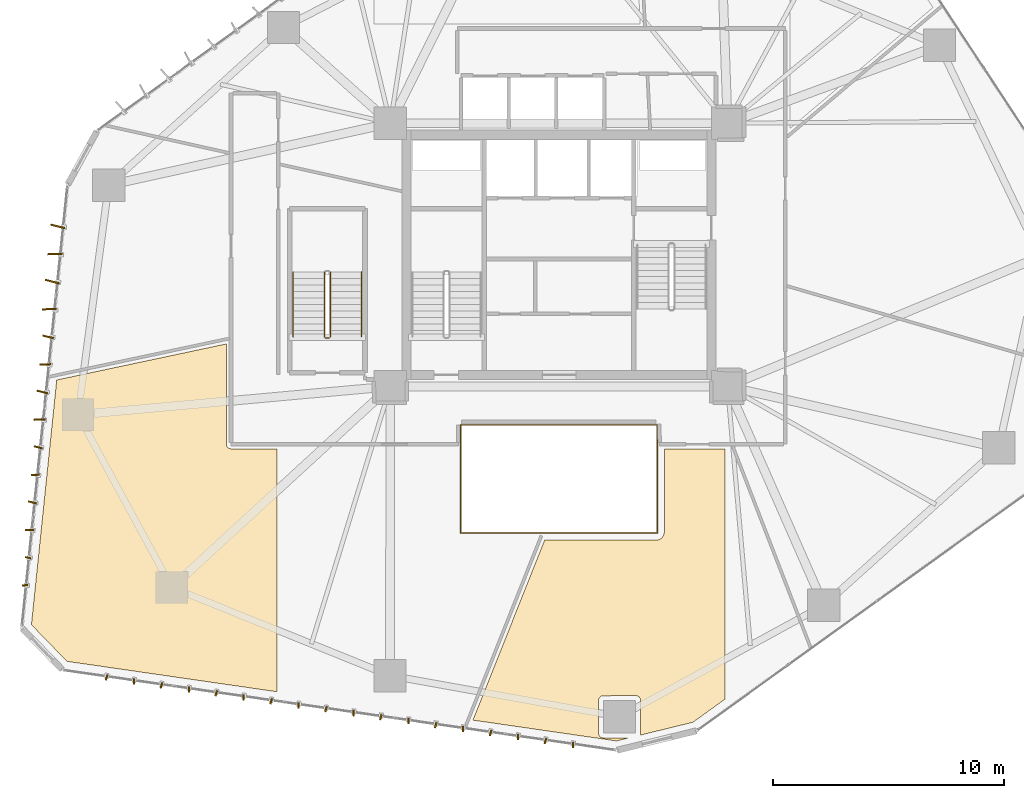
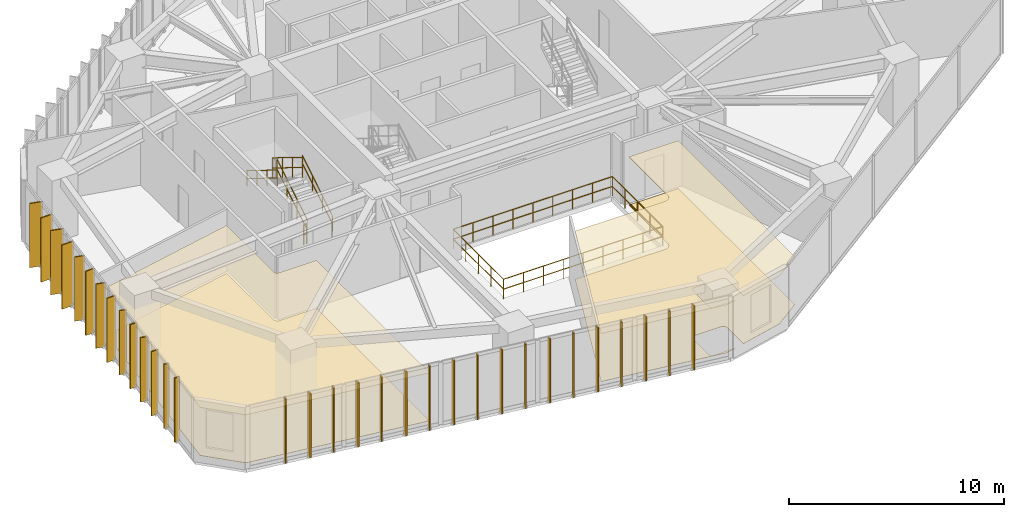
# One storey, part 21 of 22: 32 shading devices, 9 railings, 4 coverings.
"""IFC4 building model written with IfcOpenShell, lengths in metres."""

from ifc_helpers import new_model, si_unit, direction, frame, origin, origin_2d, place, context, subcontext, project, spatial, polyline, rectangle, circle, outline, extrude, source, transform, mapped, material, layer, layer_set, type_object, type_shapes, element, save


model = new_model("IFC4")

# Units and contexts
model_context = context("Model", 3, precision=1e-05, world=origin(), true_north=direction((0.0, 1.0)))
body_context = subcontext(model_context, "Body", "Model", "MODEL_VIEW")
ifc_project = project(units=[si_unit("LENGTHUNIT", "METRE"), si_unit("AREAUNIT", "SQUARE_METRE"), si_unit("VOLUMEUNIT", "CUBIC_METRE"), si_unit("PLANEANGLEUNIT", "RADIAN"), si_unit("MASSUNIT", "GRAM", prefix="KILO")], contexts=[model_context])

# Site, building, storey
site_placement = place(None, origin())
site = spatial("IfcSite", under=ifc_project, at=site_placement, CompositionType="ELEMENT")
building_placement = place(site_placement, origin())
building = spatial("IfcBuilding", under=site, at=building_placement, Name="Talar Marvaseh", CompositionType="ELEMENT")
storey_placement = place(building_placement, frame((0.0, 0.0, 65.800048828125)))
storey = spatial("IfcBuildingStorey", under=building, at=storey_placement, Name="L16", CompositionType="ELEMENT", Elevation=65.800048828125)

# Railings
ifc_material_1 = material(Name="Stainless Steel Grade 316", Category="steel")
railing_type_1 = type_object("IfcRailingType", Name="Brushed Stainless Wall Pitch Handrail 900", PredefinedType="HANDRAIL", material=ifc_material_1)
railing_1_placement = place(storey_placement, frame((17.449951171875, 27.64990234375, 0.172607421875)))
element("IfcRailing", 1, at=railing_1_placement, inside=storey, type_object=railing_type_1, Name="L16 ST-3 stair handrail 1", PredefinedType="HANDRAIL", context=body_context, shape_type="SweptSolid", body=[
    extrude(circle(Radius=0.02392578125, at=origin_2d()), frame((0.0, 0.0, 0.8759765625), z_axis=(0.0, 0.851089632645, 0.525020415988), x_axis=(-1.0, 0.0, 0.0)), (0.0, 0.0, 1.0), 3.2900390625),
    extrude(circle(Radius=0.02392578125, at=origin_2d()), frame((0.0, 0.0, 0.42578125), z_axis=(0.0, 0.851089632645, 0.525020415988), x_axis=(-1.0, 0.0, 0.0)), (0.0, 0.0, 1.0), 3.2900390625),
    extrude(circle(Radius=0.02099609375, at=origin_2d()), origin(), (0.0, 0.0, 1.0), 0.851806640625),
    extrude(circle(Radius=0.02099609375, at=origin_2d()), frame((0.0, 0.933349609375, 0.57568359375)), (0.0, 0.0, 1.0), 0.851806640625),
    extrude(circle(Radius=0.02099609375, at=origin_2d()), frame((0.0, 1.86669921875, 1.151611328125)), (0.0, 0.0, 1.0), 0.851806640625),
    extrude(circle(Radius=0.02099609375, at=origin_2d()), frame((0.0, 2.800048828125, 1.727294921875)), (0.0, 0.0, 1.0), 0.851806640625),
])
railing_2_placement = place(storey_placement, frame((14.489990234375, 30.449951171875, 2.07275390625)))
element("IfcRailing", 2, at=railing_2_placement, inside=storey, type_object=railing_type_1, Name="L16 ST-3 stair handrail 2", PredefinedType="HANDRAIL", context=body_context, shape_type="SweptSolid", body=[
    extrude(circle(Radius=0.02392578125, at=origin_2d()), frame((0.0, 0.0, 0.8759765625), z_axis=(0.0, -0.851089632645, 0.525020415988), x_axis=(1.0, 0.0, 0.0)), (0.0, 0.0, 1.0), 3.2900390625),
    extrude(circle(Radius=0.02392578125, at=origin_2d()), frame((0.0, 0.0, 0.42578125), z_axis=(0.0, -0.851089632645, 0.525020415988), x_axis=(1.0, 0.0, 0.0)), (0.0, 0.0, 1.0), 3.2900390625),
    extrude(circle(Radius=0.02099609375, at=origin_2d()), origin(), (0.0, 0.0, 1.0), 0.851806640625),
    extrude(circle(Radius=0.02099609375, at=origin_2d()), frame((0.0, -0.933349609375, 0.57568359375)), (0.0, 0.0, 1.0), 0.851806640625),
    extrude(circle(Radius=0.02099609375, at=origin_2d()), frame((0.0, -1.86669921875, 1.151611328125)), (0.0, 0.0, 1.0), 0.851806640625),
    extrude(circle(Radius=0.02099609375, at=origin_2d()), frame((0.0, -2.800048828125, 1.727294921875)), (0.0, 0.0, 1.0), 0.851806640625),
])
ifc_material_2 = material(Name="Tempered Clear Glass", Category="glass")
railing_type_2 = type_object("IfcRailingType", Name="Interior Atrium Edge Balustrade 1120", PredefinedType="BALUSTRADE", material=ifc_material_2)
railing_3_placement = place(storey_placement, frame((21.729736328125, 19.16162109375, 0.0)))
element("IfcRailing", 3, at=railing_3_placement, inside=storey, type_object=railing_type_2, Name="L16 Internal Daylight Atrium Balustrade 1", PredefinedType="BALUSTRADE", context=body_context, shape_type="SweptSolid", body=[
    extrude(circle(Radius=0.02392578125, at=origin_2d()), frame((0.0, 0.0, 1.09619140625), z_axis=(1.0, 0.0, 0.0), x_axis=(0.0, 1.0, 0.0)), (0.0, 0.0, 1.0), 8.54052734375),
    extrude(circle(Radius=0.02392578125, at=origin_2d()), frame((0.0, 0.0, 0.5361328125), z_axis=(1.0, 0.0, 0.0), x_axis=(0.0, 1.0, 0.0)), (0.0, 0.0, 1.0), 8.54052734375),
    extrude(circle(Radius=0.02099609375, at=origin_2d()), origin(), (0.0, 0.0, 1.0), 1.072021484375),
    extrude(circle(Radius=0.02099609375, at=origin_2d()), frame((1.067626953125, 0.0, 0.0)), (0.0, 0.0, 1.0), 1.072021484375),
    extrude(circle(Radius=0.02099609375, at=origin_2d()), frame((2.13525390625, 0.0, 0.0)), (0.0, 0.0, 1.0), 1.072021484375),
    extrude(circle(Radius=0.02099609375, at=origin_2d()), frame((3.20263671875, 0.0, 0.0)), (0.0, 0.0, 1.0), 1.072021484375),
    extrude(circle(Radius=0.02099609375, at=origin_2d()), frame((4.270263671875, 0.0, 0.0)), (0.0, 0.0, 1.0), 1.072021484375),
    extrude(circle(Radius=0.02099609375, at=origin_2d()), frame((5.337890625, 0.0, 0.0)), (0.0, 0.0, 1.0), 1.072021484375),
    extrude(circle(Radius=0.02099609375, at=origin_2d()), frame((6.4052734375, 0.0, 0.0)), (0.0, 0.0, 1.0), 1.072021484375),
    extrude(circle(Radius=0.02099609375, at=origin_2d()), frame((7.472900390625, 0.0, 0.0)), (0.0, 0.0, 1.0), 1.072021484375),
    extrude(circle(Radius=0.02099609375, at=origin_2d()), frame((8.54052734375, 0.0, 0.0)), (0.0, 0.0, 1.0), 1.072021484375),
])
railing_4_placement = place(storey_placement, frame((30.270263671875, 19.16162109375, 0.0)))
element("IfcRailing", 4, at=railing_4_placement, inside=storey, type_object=railing_type_2, Name="L16 Internal Daylight Atrium Balustrade 2", PredefinedType="BALUSTRADE", context=body_context, shape_type="SweptSolid", body=[
    extrude(circle(Radius=0.02392578125, at=origin_2d()), frame((0.0, 0.0, 1.09619140625), z_axis=(0.0, 1.0, 0.0), x_axis=(-1.0, 0.0, 0.0)), (0.0, 0.0, 1.0), 4.6767578125),
    extrude(circle(Radius=0.02392578125, at=origin_2d()), frame((0.0, 0.0, 0.5361328125), z_axis=(0.0, 1.0, 0.0), x_axis=(-1.0, 0.0, 0.0)), (0.0, 0.0, 1.0), 4.6767578125),
    extrude(circle(Radius=0.02099609375, at=origin_2d()), origin(), (0.0, 0.0, 1.0), 1.072021484375),
    extrude(circle(Radius=0.02099609375, at=origin_2d()), frame((0.0, 1.169189453125, 0.0)), (0.0, 0.0, 1.0), 1.072021484375),
    extrude(circle(Radius=0.02099609375, at=origin_2d()), frame((0.0, 2.33837890625, 0.0)), (0.0, 0.0, 1.0), 1.072021484375),
    extrude(circle(Radius=0.02099609375, at=origin_2d()), frame((0.0, 3.507568359375, 0.0)), (0.0, 0.0, 1.0), 1.072021484375),
    extrude(circle(Radius=0.02099609375, at=origin_2d()), frame((0.0, 4.6767578125, 0.0)), (0.0, 0.0, 1.0), 1.072021484375),
])
railing_5_placement = place(storey_placement, frame((30.270263671875, 23.83837890625, 0.0)))
element("IfcRailing", 5, at=railing_5_placement, inside=storey, type_object=railing_type_2, Name="L16 Internal Daylight Atrium Balustrade 3", PredefinedType="BALUSTRADE", context=body_context, shape_type="SweptSolid", body=[
    extrude(circle(Radius=0.02392578125, at=origin_2d()), frame((0.0, 0.0, 1.09619140625), z_axis=(-1.0, 0.0, 0.0), x_axis=(0.0, -1.0, 0.0)), (0.0, 0.0, 1.0), 8.54052734375),
    extrude(circle(Radius=0.02392578125, at=origin_2d()), frame((0.0, 0.0, 0.5361328125), z_axis=(-1.0, 0.0, 0.0), x_axis=(0.0, -1.0, 0.0)), (0.0, 0.0, 1.0), 8.54052734375),
    extrude(circle(Radius=0.02099609375, at=origin_2d()), origin(), (0.0, 0.0, 1.0), 1.072021484375),
    extrude(circle(Radius=0.02099609375, at=origin_2d()), frame((-1.067626953125, 0.0, 0.0)), (0.0, 0.0, 1.0), 1.072021484375),
    extrude(circle(Radius=0.02099609375, at=origin_2d()), frame((-2.13525390625, 0.0, 0.0)), (0.0, 0.0, 1.0), 1.072021484375),
    extrude(circle(Radius=0.02099609375, at=origin_2d()), frame((-3.20263671875, 0.0, 0.0)), (0.0, 0.0, 1.0), 1.072021484375),
    extrude(circle(Radius=0.02099609375, at=origin_2d()), frame((-4.270263671875, 0.0, 0.0)), (0.0, 0.0, 1.0), 1.072021484375),
    extrude(circle(Radius=0.02099609375, at=origin_2d()), frame((-5.337890625, 0.0, 0.0)), (0.0, 0.0, 1.0), 1.072021484375),
    extrude(circle(Radius=0.02099609375, at=origin_2d()), frame((-6.4052734375, 0.0, 0.0)), (0.0, 0.0, 1.0), 1.072021484375),
    extrude(circle(Radius=0.02099609375, at=origin_2d()), frame((-7.472900390625, 0.0, 0.0)), (0.0, 0.0, 1.0), 1.072021484375),
    extrude(circle(Radius=0.02099609375, at=origin_2d()), frame((-8.54052734375, 0.0, 0.0)), (0.0, 0.0, 1.0), 1.072021484375),
])
railing_6_placement = place(storey_placement, frame((21.729736328125, 23.83837890625, 0.0)))
element("IfcRailing", 6, at=railing_6_placement, inside=storey, type_object=railing_type_2, Name="L16 Internal Daylight Atrium Balustrade 4", PredefinedType="BALUSTRADE", context=body_context, shape_type="SweptSolid", body=[
    extrude(circle(Radius=0.02392578125, at=origin_2d()), frame((0.0, 0.0, 1.09619140625), z_axis=(0.0, -1.0, 0.0), x_axis=(1.0, 0.0, 0.0)), (0.0, 0.0, 1.0), 4.6767578125),
    extrude(circle(Radius=0.02392578125, at=origin_2d()), frame((0.0, 0.0, 0.5361328125), z_axis=(0.0, -1.0, 0.0), x_axis=(1.0, 0.0, 0.0)), (0.0, 0.0, 1.0), 4.6767578125),
    extrude(circle(Radius=0.02099609375, at=origin_2d()), origin(), (0.0, 0.0, 1.0), 1.072021484375),
    extrude(circle(Radius=0.02099609375, at=origin_2d()), frame((0.0, -1.169189453125, 0.0)), (0.0, 0.0, 1.0), 1.072021484375),
    extrude(circle(Radius=0.02099609375, at=origin_2d()), frame((0.0, -2.33837890625, 0.0)), (0.0, 0.0, 1.0), 1.072021484375),
    extrude(circle(Radius=0.02099609375, at=origin_2d()), frame((0.0, -3.507568359375, 0.0)), (0.0, 0.0, 1.0), 1.072021484375),
    extrude(circle(Radius=0.02099609375, at=origin_2d()), frame((0.0, -4.6767578125, 0.0)), (0.0, 0.0, 1.0), 1.072021484375),
])
railing_type_3 = type_object("IfcRailingType", Name="Painted Steel Core Stair Well Guardrail 1150", PredefinedType="GUARDRAIL", material=ifc_material_1)
railing_7_placement = place(storey_placement, frame((16.10009765625, 27.64990234375, 0.172607421875)))
element("IfcRailing", 7, at=railing_7_placement, inside=storey, type_object=railing_type_3, Name="L16 ST-3 stair guard 1", PredefinedType="GUARDRAIL", context=body_context, shape_type="SweptSolid", body=[
    extrude(circle(Radius=0.02392578125, at=origin_2d()), frame((0.0, 0.0, 1.1259765625), z_axis=(0.0, 0.851089632645, 0.525020415988), x_axis=(-1.0, 0.0, 0.0)), (0.0, 0.0, 1.0), 3.2900390625),
    extrude(circle(Radius=0.02392578125, at=origin_2d()), frame((0.0, 0.0, 0.55078125), z_axis=(0.0, 0.851089632645, 0.525020415988), x_axis=(-1.0, 0.0, 0.0)), (0.0, 0.0, 1.0), 3.2900390625),
    extrude(circle(Radius=0.02099609375, at=origin_2d()), origin(), (0.0, 0.0, 1.0), 1.101806640625),
    extrude(circle(Radius=0.02099609375, at=origin_2d()), frame((0.0, 0.933349609375, 0.57568359375)), (0.0, 0.0, 1.0), 1.101806640625),
    extrude(circle(Radius=0.02099609375, at=origin_2d()), frame((0.0, 1.86669921875, 1.151611328125)), (0.0, 0.0, 1.0), 1.101806640625),
    extrude(circle(Radius=0.02099609375, at=origin_2d()), frame((0.0, 2.800048828125, 1.727294921875)), (0.0, 0.0, 1.0), 1.101806640625),
])
railing_8_placement = place(storey_placement, frame((15.840087890625, 30.449951171875, 2.07275390625)))
element("IfcRailing", 8, at=railing_8_placement, inside=storey, type_object=railing_type_3, Name="L16 ST-3 stair guard 3", PredefinedType="GUARDRAIL", context=body_context, shape_type="SweptSolid", body=[
    extrude(circle(Radius=0.02392578125, at=origin_2d()), frame((0.0, 0.0, 1.1259765625), z_axis=(0.0, -0.851089632645, 0.525020415988), x_axis=(1.0, 0.0, 0.0)), (0.0, 0.0, 1.0), 3.2900390625),
    extrude(circle(Radius=0.02392578125, at=origin_2d()), frame((0.0, 0.0, 0.55078125), z_axis=(0.0, -0.851089632645, 0.525020415988), x_axis=(1.0, 0.0, 0.0)), (0.0, 0.0, 1.0), 3.2900390625),
    extrude(circle(Radius=0.02099609375, at=origin_2d()), origin(), (0.0, 0.0, 1.0), 1.101806640625),
    extrude(circle(Radius=0.02099609375, at=origin_2d()), frame((0.0, -0.933349609375, 0.57568359375)), (0.0, 0.0, 1.0), 1.101806640625),
    extrude(circle(Radius=0.02099609375, at=origin_2d()), frame((0.0, -1.86669921875, 1.151611328125)), (0.0, 0.0, 1.0), 1.101806640625),
    extrude(circle(Radius=0.02099609375, at=origin_2d()), frame((0.0, -2.800048828125, 1.727294921875)), (0.0, 0.0, 1.0), 1.101806640625),
])
railing_9_placement = place(storey_placement, frame((16.050048828125, 27.60009765625, 0.0)))
element("IfcRailing", 9, at=railing_9_placement, inside=storey, type_object=railing_type_3, Name="L16 ST-3 stair guard 4", PredefinedType="GUARDRAIL", context=body_context, shape_type="SweptSolid", body=[
    extrude(circle(Radius=0.02392578125, at=origin_2d()), frame((0.0, 0.0, 1.1259765625), z_axis=(-1.0, 0.0, 0.0), x_axis=(0.0, -1.0, 0.0)), (0.0, 0.0, 1.0), 0.16015625),
    extrude(circle(Radius=0.02392578125, at=origin_2d()), frame((0.0, 0.0, 0.55078125), z_axis=(-1.0, 0.0, 0.0), x_axis=(0.0, -1.0, 0.0)), (0.0, 0.0, 1.0), 0.16015625),
    extrude(circle(Radius=0.02099609375, at=origin_2d()), origin(), (0.0, 0.0, 1.0), 1.101806640625),
    extrude(circle(Radius=0.02099609375, at=origin_2d()), frame((-0.16015625, 0.0, 0.0)), (0.0, 0.0, 1.0), 1.101806640625),
])

# Coverings
ifc_material_3 = material(Name="Mineral Fibre Acoustic Ceiling")
ifc_layer_1 = layer(ifc_material_3, 0.02490234375)
ifc_layer_set_1 = layer_set([ifc_layer_1], Name="Mineral Fibre Acoustic Ceiling")
covering_type_1 = type_object("IfcCoveringType", Name="Perforated Mineral Fibre Acoustic Suspended Ceiling", PredefinedType="CEILING", material=ifc_layer_set_1)
covering_1_placement = place(storey_placement, frame((0.0, 0.0, 2.719970703125)))
element("IfcCovering", 10, at=covering_1_placement, inside=storey, type_object=covering_type_1, Name="L16 Exhibition Gallery Acoustic Ceiling", PredefinedType="CEILING", context=body_context, shape_type="SweptSolid", body=[
    extrude(outline(polyline([(3.156982421875, 15.180908203125), (4.253173828125, 25.7802734375), (11.60009765625, 27.342041015625), (11.60009765625, 23.0), (11.60107421875, 22.98046875), (11.603759765625, 22.9609375), (11.608642578125, 22.94189453125), (11.615234375, 22.923583984375), (11.62353515625, 22.90576171875), (11.6337890625, 22.888916015625), (11.6455078125, 22.873046875), (11.65869140625, 22.858642578125), (11.673095703125, 22.845458984375), (11.68896484375, 22.833740234375), (11.705810546875, 22.823486328125), (11.723388671875, 22.815185546875), (11.741943359375, 22.80859375), (11.760986328125, 22.8037109375), (11.780517578125, 22.801025390625), (11.800048828125, 22.800048828125), (13.800048828125, 22.800048828125), (13.800048828125, 12.277587890625), (4.69677734375, 13.595947265625), (3.156982421875, 15.180908203125)])), origin(), (0.0, 0.0, 1.0), 0.02490234375),
])
covering_2_placement = place(storey_placement, frame((0.0, 0.0, 2.719970703125)))
element("IfcCovering", 11, at=covering_2_placement, inside=storey, type_object=covering_type_1, Name="L16 Museum Publication Bookshop Acoustic Ceiling", PredefinedType="CEILING", context=body_context, shape_type="SweptSolid", body=[
    extrude(outline(polyline([(25.377685546875, 18.840087890625), (30.199951171875, 18.840087890625), (30.21630859375, 18.8408203125), (30.232666015625, 18.8427734375), (30.24853515625, 18.845947265625), (30.323974609375, 18.864990234375), (30.3427734375, 18.87060546875), (30.361083984375, 18.878173828125), (30.37841796875, 18.887451171875), (30.39453125, 18.898193359375), (30.432373046875, 18.92626953125), (30.447509765625, 18.938720703125), (30.461181640625, 18.95263671875), (30.4736328125, 18.9677734375), (30.501708984375, 19.00537109375), (30.5126953125, 19.021728515625), (30.52197265625, 19.0390625), (30.529296875, 19.05712890625), (30.53515625, 19.075927734375), (30.553955078125, 19.1513671875), (30.557373046875, 19.16748046875), (30.559326171875, 19.18359375), (30.56005859375, 19.199951171875), (30.56005859375, 22.800048828125), (33.199951171875, 22.800048828125), (33.199951171875, 11.966064453125), (31.7998046875, 10.95849609375), (29.5166015625, 10.39990234375), (29.520263671875, 10.407470703125), (29.52685546875, 10.42578125), (29.53173828125, 10.44482421875), (29.53466796875, 10.464111328125), (29.53564453125, 10.48388671875), (29.539794921875, 11.89599609375), (29.5390625, 11.91455078125), (29.53662109375, 11.932861328125), (29.5322265625, 11.950927734375), (29.5263671875, 11.96875), (29.518798828125, 11.985595703125), (29.509765625, 12.001953125), (29.499267578125, 12.017333984375), (29.4873046875, 12.031494140625), (29.47412109375, 12.044677734375), (29.459228515625, 12.05810546875), (29.445068359375, 12.070068359375), (29.4296875, 12.080322265625), (29.41357421875, 12.08935546875), (29.396728515625, 12.0966796875), (29.379150390625, 12.1025390625), (29.361083984375, 12.106689453125), (29.3427734375, 12.109130859375), (29.324462890625, 12.110107421875), (27.913818359375, 12.105712890625), (27.894287109375, 12.1044921875), (27.874755859375, 12.1015625), (27.85595703125, 12.0966796875), (27.83740234375, 12.090087890625), (27.819580078125, 12.081787109375), (27.802978515625, 12.07177734375), (27.787353515625, 12.06005859375), (27.772705078125, 12.046875), (27.759521484375, 12.0322265625), (27.748046875, 12.0166015625), (27.73779296875, 11.999755859375), (27.7294921875, 11.98193359375), (27.722900390625, 11.96337890625), (27.71826171875, 11.944580078125), (27.71533203125, 11.92529296875), (27.71435546875, 11.905517578125), (27.71435546875, 10.484375), (27.71533203125, 10.46484375), (27.71826171875, 10.4453125), (27.722900390625, 10.42626953125), (27.7294921875, 10.407958984375), (27.738037109375, 10.39013671875), (27.748046875, 10.373291015625), (27.759765625, 10.357421875), (27.77294921875, 10.343017578125), (27.78759765625, 10.329833984375), (27.80322265625, 10.318115234375), (27.820068359375, 10.30810546875), (27.837890625, 10.299560546875), (27.856201171875, 10.29296875), (27.87548828125, 10.2880859375), (27.894775390625, 10.285400390625), (27.914306640625, 10.284423828125), (29.044921875, 10.284423828125), (28.493408203125, 10.1494140625), (22.277587890625, 11.0498046875), (25.377685546875, 18.840087890625)])), origin(), (0.0, 0.0, 1.0), 0.02490234375),
])
ifc_material_4 = material(Name="Porcelain Stoneware Tile", Category="masonry")
ifc_layer_2 = layer(ifc_material_4, 0.02001953125)
ifc_layer_set_2 = layer_set([ifc_layer_2], Name="Porcelain Stoneware Tile")
covering_type_2 = type_object("IfcCoveringType", Name="Polished Porcelain Stoneware Gallery Flooring", PredefinedType="FLOORING", material=ifc_layer_set_2)
covering_3_placement = place(storey_placement, origin())
element("IfcCovering", 12, at=covering_3_placement, inside=storey, type_object=covering_type_2, Name="L16 Exhibition Gallery Flooring", PredefinedType="FLOORING", context=body_context, shape_type="SweptSolid", body=[
    extrude(outline(polyline([(3.156982421875, 15.180908203125), (4.253173828125, 25.7802734375), (11.60009765625, 27.342041015625), (11.60009765625, 23.0), (11.60107421875, 22.98046875), (11.603759765625, 22.9609375), (11.608642578125, 22.94189453125), (11.615234375, 22.923583984375), (11.62353515625, 22.90576171875), (11.6337890625, 22.888916015625), (11.6455078125, 22.873046875), (11.65869140625, 22.858642578125), (11.673095703125, 22.845458984375), (11.68896484375, 22.833740234375), (11.705810546875, 22.823486328125), (11.723388671875, 22.815185546875), (11.741943359375, 22.80859375), (11.760986328125, 22.8037109375), (11.780517578125, 22.801025390625), (11.800048828125, 22.800048828125), (13.800048828125, 22.800048828125), (13.800048828125, 12.277587890625), (4.69677734375, 13.595947265625), (3.156982421875, 15.180908203125)])), origin(), (0.0, 0.0, 1.0), 0.02001953125),
])
covering_4_placement = place(storey_placement, origin())
element("IfcCovering", 13, at=covering_4_placement, inside=storey, type_object=covering_type_2, Name="L16 Museum Publication Bookshop Flooring", PredefinedType="FLOORING", context=body_context, shape_type="SweptSolid", body=[
    extrude(outline(polyline([(25.377685546875, 18.840087890625), (30.199951171875, 18.840087890625), (30.21630859375, 18.8408203125), (30.232666015625, 18.8427734375), (30.24853515625, 18.845947265625), (30.323974609375, 18.864990234375), (30.3427734375, 18.87060546875), (30.361083984375, 18.878173828125), (30.37841796875, 18.887451171875), (30.39453125, 18.898193359375), (30.432373046875, 18.92626953125), (30.447509765625, 18.938720703125), (30.461181640625, 18.95263671875), (30.4736328125, 18.9677734375), (30.501708984375, 19.00537109375), (30.5126953125, 19.021728515625), (30.52197265625, 19.0390625), (30.529296875, 19.05712890625), (30.53515625, 19.075927734375), (30.553955078125, 19.1513671875), (30.557373046875, 19.16748046875), (30.559326171875, 19.18359375), (30.56005859375, 19.199951171875), (30.56005859375, 22.800048828125), (33.199951171875, 22.800048828125), (33.199951171875, 11.966064453125), (31.7998046875, 10.95849609375), (29.5166015625, 10.39990234375), (29.520263671875, 10.407470703125), (29.52685546875, 10.42578125), (29.53173828125, 10.44482421875), (29.53466796875, 10.464111328125), (29.53564453125, 10.48388671875), (29.539794921875, 11.89599609375), (29.5390625, 11.91455078125), (29.53662109375, 11.932861328125), (29.5322265625, 11.950927734375), (29.5263671875, 11.96875), (29.518798828125, 11.985595703125), (29.509765625, 12.001953125), (29.499267578125, 12.017333984375), (29.4873046875, 12.031494140625), (29.47412109375, 12.044677734375), (29.459228515625, 12.05810546875), (29.445068359375, 12.070068359375), (29.4296875, 12.080322265625), (29.41357421875, 12.08935546875), (29.396728515625, 12.0966796875), (29.379150390625, 12.1025390625), (29.361083984375, 12.106689453125), (29.3427734375, 12.109130859375), (29.324462890625, 12.110107421875), (27.913818359375, 12.105712890625), (27.894287109375, 12.1044921875), (27.874755859375, 12.1015625), (27.85595703125, 12.0966796875), (27.83740234375, 12.090087890625), (27.819580078125, 12.081787109375), (27.802978515625, 12.07177734375), (27.787353515625, 12.06005859375), (27.772705078125, 12.046875), (27.759521484375, 12.0322265625), (27.748046875, 12.0166015625), (27.73779296875, 11.999755859375), (27.7294921875, 11.98193359375), (27.722900390625, 11.96337890625), (27.71826171875, 11.944580078125), (27.71533203125, 11.92529296875), (27.71435546875, 11.905517578125), (27.71435546875, 10.484375), (27.71533203125, 10.46484375), (27.71826171875, 10.4453125), (27.722900390625, 10.42626953125), (27.7294921875, 10.407958984375), (27.738037109375, 10.39013671875), (27.748046875, 10.373291015625), (27.759765625, 10.357421875), (27.77294921875, 10.343017578125), (27.78759765625, 10.329833984375), (27.80322265625, 10.318115234375), (27.820068359375, 10.30810546875), (27.837890625, 10.299560546875), (27.856201171875, 10.29296875), (27.87548828125, 10.2880859375), (27.894775390625, 10.285400390625), (27.914306640625, 10.284423828125), (29.044921875, 10.284423828125), (28.493408203125, 10.1494140625), (22.277587890625, 11.0498046875), (25.377685546875, 18.840087890625)])), origin(), (0.0, 0.0, 1.0), 0.02001953125),
])

# Shading devices
ifc_material_5 = material(Name="Anodised Champagne Bronze Aluminium", Category="aluminium")
ifc_layer_3 = layer(ifc_material_5, 0.06494140625)
ifc_layer_set_3 = layer_set([ifc_layer_3], Name="Anodised Champagne Bronze Aluminium")
shading_device_type_1 = type_object("IfcShadingDeviceType", Name="Sawtooth Champagne Bronze Vertical Fin 240", PredefinedType="USERDEFINED", material=ifc_layer_set_3)
shared_shape_1 = source(origin(), body_context, "Body", "SweptSolid", [
    extrude(rectangle(XDim=0.239990234375, YDim=0.06494140625, at=origin_2d()), origin(), (0.0, 0.0, 1.0), 3.639892578125),
])
type_shapes(shading_device_type_1, [shared_shape_1])
for number, where, z_axis, x_axis, name in (
    (14, (2.88671875, 16.89208984375, -0.1201171875), (0.0, 0.0, 1.0), (-0.999328393779, -0.036643708707, 0.0), "L16 Sawtooth Vertical Solar Fin"),
    (15, (3.010009765625, 18.085693359375, -0.1201171875), (0.0, 0.0, 1.0), (-0.970716481578, 0.240228042477, 0.0), "L16 Sawtooth Vertical Solar Fin"),
    (16, (26.6015625, 9.973876953125, -0.1201171875), (0.0, 0.0, 1.0), (-0.004188777955, -0.999991227031, 0.0), "L16 Sawtooth Vertical Solar Fin"),
    (17, (25.413818359375, 10.145751953125, -0.1201171875), (0.0, 0.0, 1.0), (-0.27966144946, -0.96009867914, 0.0), "L16 Sawtooth Vertical Solar Fin"),
    (18, (24.226318359375, 10.31787109375, -0.1201171875), (0.0, 0.0, 1.0), (-0.004188777955, -0.999991227031, 0.0), "L16 Sawtooth Vertical Solar Fin"),
    (19, (23.03857421875, 10.489990234375, -0.1201171875), (0.0, 0.0, 1.0), (-0.27966144946, -0.96009867914, 0.0), "L16 Sawtooth Vertical Solar Fin"),
    (20, (21.85107421875, 10.661865234375, -0.1201171875), (0.0, 0.0, 1.0), (-0.004188777955, -0.999991227031, 0.0), "L16 Sawtooth Vertical Solar Fin"),
    (21, (20.663330078125, 10.833984375, -0.1201171875), (0.0, 0.0, 1.0), (-0.27966144946, -0.96009867914, 0.0), "L16 Sawtooth Vertical Solar Fin"),
    (22, (19.475830078125, 11.005859375, -0.1201171875), (0.0, 0.0, 1.0), (-0.004188777955, -0.999991227031, 0.0), "L16 Sawtooth Vertical Solar Fin"),
    (23, (18.2880859375, 11.177978515625, -0.1201171875), (0.0, 0.0, 1.0), (-0.27966144946, -0.96009867914, 0.0), "L16 Sawtooth Vertical Solar Fin"),
    (24, (17.1005859375, 11.349853515625, -0.1201171875), (0.0, 0.0, 1.0), (-0.004188777955, -0.999991227031, 0.0), "L16 Sawtooth Vertical Solar Fin"),
    (25, (15.9130859375, 11.52197265625, -0.1201171875), (0.0, 0.0, 1.0), (-0.27966144946, -0.96009867914, 0.0), "L16 Sawtooth Vertical Solar Fin"),
    (26, (14.725341796875, 11.69384765625, -0.1201171875), (0.0, 0.0, 1.0), (-0.004188777955, -0.999991227031, 0.0), "L16 Sawtooth Vertical Solar Fin"),
    (27, (13.537841796875, 11.865966796875, -0.1201171875), (0.0, 0.0, 1.0), (-0.27966144946, -0.96009867914, 0.0), "L16 Sawtooth Vertical Solar Fin"),
    (28, (12.35009765625, 12.037841796875, -0.1201171875), (0.0, 0.0, 1.0), (-0.004188777955, -0.999991227031, 0.0), "L16 Sawtooth Vertical Solar Fin"),
    (29, (11.16259765625, 12.2099609375, -0.1201171875), (0.0, 0.0, 1.0), (-0.27966144946, -0.96009867914, 0.0), "L16 Sawtooth Vertical Solar Fin"),
    (30, (9.97509765625, 12.3818359375, -0.1201171875), (0.0, 0.0, 1.0), (-0.004188777955, -0.999991227031, 0.0), "L16 Sawtooth Vertical Solar Fin"),
    (31, (8.787353515625, 12.553955078125, -0.1201171875), (0.0, 0.0, 1.0), (-0.27966144946, -0.96009867914, 0.0), "L16 Sawtooth Vertical Solar Fin"),
    (32, (7.599609375, 12.725830078125, -0.1201171875), (0.0, 0.0, 1.0), (-0.004188777955, -0.999991227031, 0.0), "L16 Sawtooth Vertical Solar Fin"),
    (33, (6.412109375, 12.89794921875, -0.1201171875), (0.0, 0.0, 1.0), (-0.27966144946, -0.96009867914, 0.0), "L16 Sawtooth Vertical Solar Fin"),
):
    element("IfcShadingDevice", number, at=place(storey_placement, frame(where, z_axis=z_axis, x_axis=x_axis)), inside=storey, type_object=shading_device_type_1, Name=name, ObjectType="FIN", PredefinedType="USERDEFINED", context=body_context, shape_type="MappedRepresentation", body=[
        mapped(shared_shape_1, transform((0.0, 0.0, 0.0), x_axis=(1.0, 0.0, 0.0), y_axis=(0.0, 1.0, 0.0), z_axis=(0.0, 0.0, 1.0), scale=1.0)),
    ])
ifc_layer_4 = layer(ifc_material_5, 0.06494140625)
ifc_layer_set_4 = layer_set([ifc_layer_4], Name="Anodised Champagne Bronze Aluminium")
shading_device_type_2 = type_object("IfcShadingDeviceType", Name="Sawtooth Champagne Bronze Vertical Fin 360", PredefinedType="USERDEFINED", material=ifc_layer_set_4)
shared_shape_2 = source(origin(), body_context, "Body", "SweptSolid", [
    extrude(rectangle(XDim=0.360107421875, YDim=0.06494140625, at=origin_2d()), origin(), (0.0, 0.0, 1.0), 3.639892578125),
])
type_shapes(shading_device_type_2, [shared_shape_2])
for number, where, z_axis, x_axis, name in (
    (34, (3.073974609375, 19.285400390625, -0.1201171875), (0.0, 0.0, 1.0), (-0.999328393779, -0.036643708707, 0.0), "L16 Sawtooth Vertical Solar Fin"),
    (35, (3.197265625, 20.47900390625, -0.1201171875), (0.0, 0.0, 1.0), (-0.970716481578, 0.240228042477, 0.0), "L16 Sawtooth Vertical Solar Fin"),
    (36, (3.32080078125, 21.672607421875, -0.1201171875), (0.0, 0.0, 1.0), (-0.999328393779, -0.036643708707, 0.0), "L16 Sawtooth Vertical Solar Fin"),
    (37, (3.444091796875, 22.866455078125, -0.1201171875), (0.0, 0.0, 1.0), (-0.970716481578, 0.240228042477, 0.0), "L16 Sawtooth Vertical Solar Fin"),
):
    element("IfcShadingDevice", number, at=place(storey_placement, frame(where, z_axis=z_axis, x_axis=x_axis)), inside=storey, type_object=shading_device_type_2, Name=name, ObjectType="FIN", PredefinedType="USERDEFINED", context=body_context, shape_type="MappedRepresentation", body=[
        mapped(shared_shape_2, transform((0.0, 0.0, 0.0), x_axis=(1.0, 0.0, 0.0), y_axis=(0.0, 1.0, 0.0), z_axis=(0.0, 0.0, 1.0), scale=1.0)),
    ])
ifc_layer_5 = layer(ifc_material_5, 0.06494140625)
ifc_layer_set_5 = layer_set([ifc_layer_5], Name="Anodised Champagne Bronze Aluminium")
shading_device_type_3 = type_object("IfcShadingDeviceType", Name="Sawtooth Champagne Bronze Vertical Fin 480", PredefinedType="USERDEFINED", material=ifc_layer_set_5)
shared_shape_3 = source(origin(), body_context, "Body", "SweptSolid", [
    extrude(rectangle(XDim=0.47998046875, YDim=0.06494140625, at=origin_2d()), origin(), (0.0, 0.0, 1.0), 3.639892578125),
])
type_shapes(shading_device_type_3, [shared_shape_3])
for number, where, z_axis, x_axis, name in (
    (38, (3.5078125, 24.066162109375, -0.1201171875), (0.0, 0.0, 1.0), (-0.999328393779, -0.036643708707, 0.0), "L16 Sawtooth Vertical Solar Fin"),
    (39, (3.63134765625, 25.259765625, -0.1201171875), (0.0, 0.0, 1.0), (-0.970716481578, 0.240228042477, 0.0), "L16 Sawtooth Vertical Solar Fin"),
    (40, (3.7548828125, 26.453369140625, -0.1201171875), (0.0, 0.0, 1.0), (-0.999328393779, -0.036643708707, 0.0), "L16 Sawtooth Vertical Solar Fin"),
    (41, (3.878173828125, 27.647216796875, -0.1201171875), (0.0, 0.0, 1.0), (-0.970716481578, 0.240228042477, 0.0), "L16 Sawtooth Vertical Solar Fin"),
):
    element("IfcShadingDevice", number, at=place(storey_placement, frame(where, z_axis=z_axis, x_axis=x_axis)), inside=storey, type_object=shading_device_type_3, Name=name, ObjectType="FIN", PredefinedType="USERDEFINED", context=body_context, shape_type="MappedRepresentation", body=[
        mapped(shared_shape_3, transform((0.0, 0.0, 0.0), x_axis=(1.0, 0.0, 0.0), y_axis=(0.0, 1.0, 0.0), z_axis=(0.0, 0.0, 1.0), scale=1.0)),
    ])
ifc_layer_6 = layer(ifc_material_5, 0.06494140625)
ifc_layer_set_6 = layer_set([ifc_layer_6], Name="Anodised Champagne Bronze Aluminium")
shading_device_type_4 = type_object("IfcShadingDeviceType", Name="Sawtooth Champagne Bronze Vertical Fin 620", PredefinedType="USERDEFINED", material=ifc_layer_set_6)
shared_shape_4 = source(origin(), body_context, "Body", "SweptSolid", [
    extrude(rectangle(XDim=0.6201171875, YDim=0.06494140625, at=origin_2d()), origin(), (0.0, 0.0, 1.0), 3.639892578125),
])
type_shapes(shading_device_type_4, [shared_shape_4])
for number, where, z_axis, x_axis, name in (
    (42, (3.931884765625, 28.847900390625, -0.1201171875), (0.0, 0.0, 1.0), (-0.999328393779, -0.036643708707, 0.0), "L16 Sawtooth Vertical Solar Fin"),
    (43, (4.055419921875, 30.04150390625, -0.1201171875), (0.0, 0.0, 1.0), (-0.970716481578, 0.240228042477, 0.0), "L16 Sawtooth Vertical Solar Fin"),
    (44, (4.178955078125, 31.235107421875, -0.1201171875), (0.0, 0.0, 1.0), (-0.999328393779, -0.036643708707, 0.0), "L16 Sawtooth Vertical Solar Fin"),
    (45, (4.30224609375, 32.4287109375, -0.1201171875), (0.0, 0.0, 1.0), (-0.970716481578, 0.240228042477, 0.0), "L16 Sawtooth Vertical Solar Fin"),
):
    element("IfcShadingDevice", number, at=place(storey_placement, frame(where, z_axis=z_axis, x_axis=x_axis)), inside=storey, type_object=shading_device_type_4, Name=name, ObjectType="FIN", PredefinedType="USERDEFINED", context=body_context, shape_type="MappedRepresentation", body=[
        mapped(shared_shape_4, transform((0.0, 0.0, 0.0), x_axis=(1.0, 0.0, 0.0), y_axis=(0.0, 1.0, 0.0), z_axis=(0.0, 0.0, 1.0), scale=1.0)),
    ])

save(model, "model.ifc")
